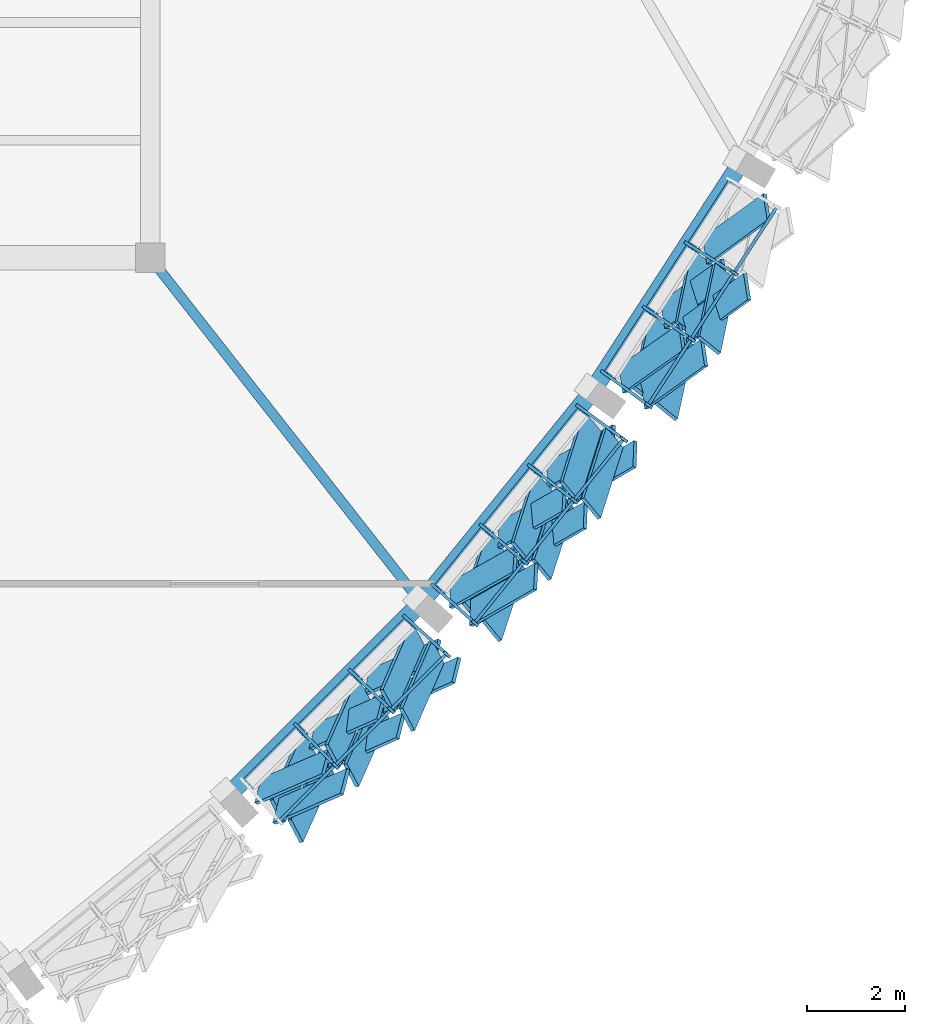
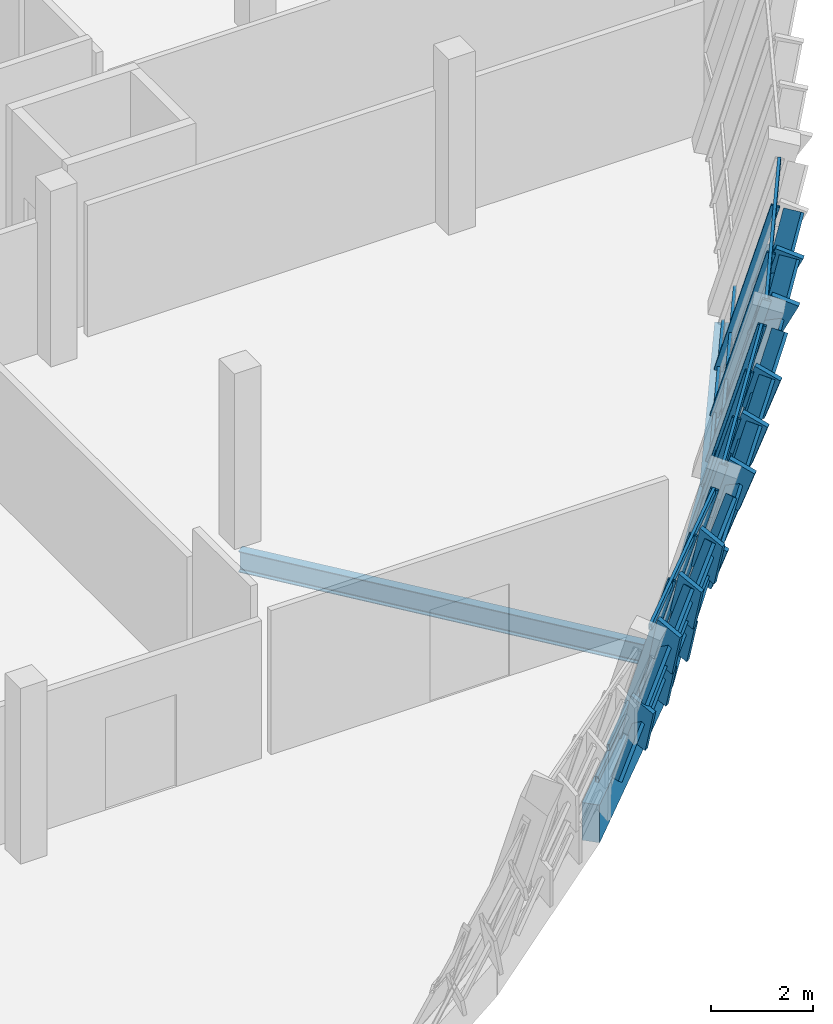
# One storey, part 51 of 107: 52 members, 4 beams, 3 elements without a shape of their own.
"""IFC4 building model written with IfcOpenShell, lengths in metres."""

from ifc_helpers import new_model, si_unit, direction, frame, origin, origin_2d, place, context, subcontext, project, spatial, rectangle, hollow_rectangle, i_section, extrude, material, material_profile, profile_set, type_object, element, aggregate, save


model = new_model("IFC4")

# Units and contexts
model_context = context("Model", 3, precision=1e-05, world=origin(), true_north=direction((0.0, 1.0)))
body_context = subcontext(model_context, "Body", "Model", "MODEL_VIEW")
ifc_project = project(units=[si_unit("LENGTHUNIT", "METRE"), si_unit("AREAUNIT", "SQUARE_METRE"), si_unit("VOLUMEUNIT", "CUBIC_METRE"), si_unit("PLANEANGLEUNIT", "RADIAN"), si_unit("MASSUNIT", "GRAM", prefix="KILO")], contexts=[model_context])

# Site, building, storey
site_placement = place(None, origin())
site = spatial("IfcSite", under=ifc_project, at=site_placement, CompositionType="ELEMENT")
building_placement = place(site_placement, origin())
building = spatial("IfcBuilding", under=site, at=building_placement, Name="Chiffa Square Polytechnic", CompositionType="ELEMENT")
storey_placement = place(building_placement, frame((0.0, 0.0, 13.800048828125)))
storey = spatial("IfcBuildingStorey", under=building, at=storey_placement, Name="L03", CompositionType="ELEMENT", Elevation=13.800048828125)

# Beam
ifc_material_1 = material(Name="Steel S355", Category="steel")
ifc_material_profile_1 = material_profile(ifc_material_1, i_section(OverallWidth=0.199951171875, OverallDepth=0.5, WebThickness=0.01025390625, FlangeThickness=0.01611328125, FilletRadius=0.02099609375, at=origin_2d()), Name="IPE 500")
ifc_profile_set_1 = profile_set([ifc_material_profile_1], Name="Steel S355")
beam_type_1 = type_object("IfcBeamType", Name="BM-STL-IPE500", PredefinedType="BEAM", material=ifc_profile_set_1)
beam_1_placement = place(storey_placement, frame((162.72705078125, 21.760009765625, -0.510009765625), z_axis=(-0.617520342787, 0.786554909872, 0.0), x_axis=(-0.786554909872, -0.617520342787, 0.0)))
element("IfcBeam", 1, at=beam_1_placement, inside=storey, type_object=beam_type_1, Name="Prow radial tie girder BM-V1-RAD-L03-11", PredefinedType="BEAM", context=body_context, shape_type="SweptSolid", body=[
    extrude(i_section(OverallWidth=0.199951171875, OverallDepth=0.5, WebThickness=0.01025390625, FlangeThickness=0.01611328125, FilletRadius=0.02099609375, at=origin_2d()), origin(), (0.0, 0.0, 1.0), 8.950439453125),
])

# Curtain wall, members
ifc_material_2 = material(Name="Aluminium EN AW-6060 T66 and glulam shading", Category="wood")
curtain_wall_type_1 = type_object("IfcCurtainWallType", Name="CW-PROW-LEAN-300", PredefinedType="USERDEFINED", material=ifc_material_2)
curtain_wall_1_placement = place(storey_placement, origin())
curtain_wall_1 = element("IfcCurtainWall", 2, at=curtain_wall_1_placement, inside=storey, type_object=curtain_wall_type_1, Name="Outward-leaning diamond-fin prow curtain wall CW-V1-L03-053", ObjectType="CURTAIN WALL", PredefinedType="USERDEFINED")
ifc_material_3 = material(Name="Aluminium EN AW-6060 T66", Category="aluminium")
ifc_material_profile_2 = material_profile(ifc_material_3, hollow_rectangle(XDim=0.06494140625, YDim=0.179931640625, WallThickness=0.00390625, at=origin_2d()), Name="ALU 65x180x4")
ifc_profile_set_2 = profile_set([ifc_material_profile_2], Name="Aluminium EN AW-6060 T66")
member_type_1 = type_object("IfcMemberType", Name="CWM-ALU-75X180", PredefinedType="MULLION", material=ifc_profile_set_2)
member_1_placement = place(storey_placement, frame((160.20361328125, 19.23681640625, 0.0), z_axis=(0.188903560698, -0.195607738574, 0.962316505816), x_axis=(0.719326269597, 0.694672381679, 0.0)))
member_1 = element("IfcMember", 3, at=member_1_placement, type_object=member_type_1, Name="Leaning prow mullion CW-V1-L03-053-M01", PredefinedType="MULLION", context=body_context, shape_type="SweptSolid", body=[
    extrude(hollow_rectangle(XDim=0.06494140625, YDim=0.179931640625, WallThickness=0.00390625, at=origin_2d()), origin(), (0.0, 0.0, 1.0), 4.114990234375),
])
member_2_placement = place(storey_placement, frame((161.313232421875, 20.34619140625, 0.0), z_axis=(0.195552870013, -0.188848539215, 0.962338456192), x_axis=(0.694668511301, 0.719330007304, 0.0)))
member_2 = element("IfcMember", 4, at=member_2_placement, type_object=member_type_1, Name="Leaning prow mullion CW-V1-L03-053-M02", PredefinedType="MULLION", context=body_context, shape_type="SweptSolid", body=[
    extrude(hollow_rectangle(XDim=0.06494140625, YDim=0.179931640625, WallThickness=0.00390625, at=origin_2d()), origin(), (0.0, 0.0, 1.0), 4.114990234375),
])
member_3_placement = place(storey_placement, frame((162.423095703125, 21.4560546875, 0.0), z_axis=(0.202120850527, -0.182246918937, 0.96225423996), x_axis=(0.669650919448, 0.742676003438, 0.0)))
member_3 = element("IfcMember", 5, at=member_3_placement, type_object=member_type_1, Name="Leaning prow mullion CW-V1-L03-053-M03", PredefinedType="MULLION", context=body_context, shape_type="SweptSolid", body=[
    extrude(hollow_rectangle(XDim=0.06494140625, YDim=0.179931640625, WallThickness=0.00390625, at=origin_2d()), origin(), (0.0, 0.0, 1.0), 4.115234375),
])

curtain_wall_type_2 = type_object("IfcCurtainWallType", Name="CW-PROW-LEAN-150", PredefinedType="USERDEFINED", material=ifc_material_2)
curtain_wall_2_placement = place(storey_placement, origin())
curtain_wall_2 = element("IfcCurtainWall", 6, at=curtain_wall_2_placement, inside=storey, type_object=curtain_wall_type_2, Name="Outward-leaning diamond-fin prow curtain wall CW-V1-L03-054", ObjectType="CURTAIN WALL", PredefinedType="USERDEFINED")
member_4_placement = place(storey_placement, frame((162.998046875, 22.093994140625, 0.0), z_axis=(0.202177751071, -0.182244733359, 0.962242700224), x_axis=(0.669542518424, 0.742773731376, 0.0)))
member_4 = element("IfcMember", 7, at=member_4_placement, type_object=member_type_1, Name="Leaning prow mullion CW-V1-L03-054-M00", PredefinedType="MULLION", context=body_context, shape_type="SweptSolid", body=[
    extrude(hollow_rectangle(XDim=0.06494140625, YDim=0.179931640625, WallThickness=0.00390625, at=origin_2d()), origin(), (0.0, 0.0, 1.0), 4.115234375),
])
member_5_placement = place(storey_placement, frame((163.985107421875, 23.313720703125, 0.0), z_axis=(0.20824381338, -0.174901071751, 0.962311866959), x_axis=(0.643140921343, 0.765747840541, 0.0)))
member_5 = element("IfcMember", 8, at=member_5_placement, type_object=member_type_1, Name="Leaning prow mullion CW-V1-L03-054-M01", PredefinedType="MULLION", context=body_context, shape_type="SweptSolid", body=[
    extrude(hollow_rectangle(XDim=0.06494140625, YDim=0.179931640625, WallThickness=0.00390625, at=origin_2d()), origin(), (0.0, 0.0, 1.0), 4.114990234375),
])
member_6_placement = place(storey_placement, frame((164.971923828125, 24.533203125, 0.0), z_axis=(0.214350033921, -0.167481357808, 0.962291046277), x_axis=(0.615690596683, 0.787988000643, 0.0)))
member_6 = element("IfcMember", 9, at=member_6_placement, type_object=member_type_1, Name="Leaning prow mullion CW-V1-L03-054-M02", PredefinedType="MULLION", context=body_context, shape_type="SweptSolid", body=[
    extrude(hollow_rectangle(XDim=0.06494140625, YDim=0.179931640625, WallThickness=0.00390625, at=origin_2d()), origin(), (0.0, 0.0, 1.0), 4.115234375),
])
member_7_placement = place(storey_placement, frame((165.958984375, 25.7529296875, 0.0), z_axis=(0.2203771058, -0.160107081711, 0.9621848334), x_axis=(0.587770216008, 0.809027918662, 0.0)))
member_7 = element("IfcMember", 10, at=member_7_placement, type_object=member_type_1, Name="Leaning prow mullion CW-V1-L03-054-M03", PredefinedType="MULLION", context=body_context, shape_type="SweptSolid", body=[
    extrude(hollow_rectangle(XDim=0.06494140625, YDim=0.179931640625, WallThickness=0.00390625, at=origin_2d()), origin(), (0.0, 0.0, 1.0), 4.115478515625),
])

curtain_wall_3_placement = place(storey_placement, origin())
curtain_wall_3 = element("IfcCurtainWall", 11, at=curtain_wall_3_placement, inside=storey, type_object=curtain_wall_type_1, Name="Outward-leaning diamond-fin prow curtain wall CW-V1-L03-055", ObjectType="CURTAIN WALL", PredefinedType="USERDEFINED")
member_8_placement = place(storey_placement, frame((166.464111328125, 26.447998046875, 0.0), z_axis=(0.2203771058, -0.160107081711, 0.9621848334), x_axis=(0.587770216008, 0.809027918662, 0.0)))
member_8 = element("IfcMember", 12, at=member_8_placement, type_object=member_type_1, Name="Leaning prow mullion CW-V1-L03-055-M00", PredefinedType="MULLION", context=body_context, shape_type="SweptSolid", body=[
    extrude(hollow_rectangle(XDim=0.06494140625, YDim=0.179931640625, WallThickness=0.00390625, at=origin_2d()), origin(), (0.0, 0.0, 1.0), 4.115478515625),
])
member_9_placement = place(storey_placement, frame((167.319091796875, 27.763671875, 0.0), z_axis=(0.225500076608, -0.152231832827, 0.962276043827), x_axis=(0.559521538906, 0.828815810359, 0.0)))
member_9 = element("IfcMember", 13, at=member_9_placement, type_object=member_type_1, Name="Leaning prow mullion CW-V1-L03-055-M01", PredefinedType="MULLION", context=body_context, shape_type="SweptSolid", body=[
    extrude(hollow_rectangle(XDim=0.06494140625, YDim=0.179931640625, WallThickness=0.00390625, at=origin_2d()), origin(), (0.0, 0.0, 1.0), 4.115234375),
])
member_10_placement = place(storey_placement, frame((168.174072265625, 29.079345703125, 0.0), z_axis=(0.230605632244, -0.144284254597, 0.962290546692), x_axis=(0.530410565225, 0.847740899272, 0.0)))
member_10 = element("IfcMember", 14, at=member_10_placement, type_object=member_type_1, Name="Leaning prow mullion CW-V1-L03-055-M02", PredefinedType="MULLION", context=body_context, shape_type="SweptSolid", body=[
    extrude(hollow_rectangle(XDim=0.06494140625, YDim=0.179931640625, WallThickness=0.00390625, at=origin_2d()), origin(), (0.0, 0.0, 1.0), 4.115234375),
])

# Member
ifc_material_4 = material(Name="Glulam GL28h", Category="wood")
ifc_material_profile_3 = material_profile(ifc_material_4, rectangle(XDim=0.080078125, YDim=0.580078125, at=origin_2d()), Name="GL28h 80x580")
ifc_profile_set_3 = profile_set([ifc_material_profile_3], Name="Glulam GL28h")
member_type_2 = type_object("IfcMemberType", Name="CWM-GL-80X580", PredefinedType="MULLION", material=ifc_profile_set_3)
member_11_placement = place(storey_placement, frame((159.427978515625, 17.9140625, 0.0400390625), z_axis=(0.559092083718, 0.242376346841, 0.79288697077), x_axis=(-0.795649869399, 0.425765380854, 0.430888762666)))
member_11 = element("IfcMember", 15, at=member_11_placement, type_object=member_type_2, Name="Diamond glulam fin CW-V1-L03-053-DF01A", PredefinedType="MULLION", context=body_context, shape_type="SweptSolid", body=[
    extrude(rectangle(XDim=0.080078125, YDim=0.580078125, at=origin_2d()), origin(), (0.0, 0.0, 1.0), 2.44677734375),
])

member_12_placement = place(storey_placement, frame((160.416015625, 18.902099609375, 0.0400390625), z_axis=(-0.251257890117, -0.564835650617, 0.786021730263), x_axis=(0.871966301086, 0.220431054967, 0.437132611203)))
member_12 = element("IfcMember", 16, at=member_12_placement, type_object=member_type_2, Name="Diamond glulam fin CW-V1-L03-053-DF01B", PredefinedType="MULLION", context=body_context, shape_type="SweptSolid", body=[
    extrude(rectangle(XDim=0.080078125, YDim=0.580078125, at=origin_2d()), origin(), (0.0, 0.0, 1.0), 2.468017578125),
])

member_13_placement = place(storey_placement, frame((159.7958984375, 17.508056640625, 1.97998046875), z_axis=(0.56189400459, 0.245909387468, 0.789812446572), x_axis=(-0.795129993756, 0.423875150734, 0.433702835614)))
member_13 = element("IfcMember", 17, at=member_13_placement, type_object=member_type_2, Name="Diamond glulam fin CW-V1-L03-053-DF02A", PredefinedType="MULLION", context=body_context, shape_type="SweptSolid", body=[
    extrude(rectangle(XDim=0.080078125, YDim=0.580078125, at=origin_2d()), origin(), (0.0, 0.0, 1.0), 2.456298828125),
])

member_14_placement = place(storey_placement, frame((160.7958984375, 18.507080078125, 1.97998046875), z_axis=(-0.254999824228, -0.56744358104, 0.782932226939), x_axis=(0.871900422165, 0.215130401893, 0.439896083195)))
member_14 = element("IfcMember", 18, at=member_14_placement, type_object=member_type_2, Name="Diamond glulam fin CW-V1-L03-053-DF02B", PredefinedType="MULLION", context=body_context, shape_type="SweptSolid", body=[
    extrude(rectangle(XDim=0.080078125, YDim=0.580078125, at=origin_2d()), origin(), (0.0, 0.0, 1.0), 2.477783203125),
])

member_15_placement = place(storey_placement, frame((160.5380859375, 19.02392578125, 0.0400390625), z_axis=(0.561919065159, 0.247081455985, 0.789428729094), x_axis=(-0.795614932694, 0.42260588973, 0.434052002461)))
member_15 = element("IfcMember", 19, at=member_15_placement, type_object=member_type_2, Name="Diamond glulam fin CW-V1-L03-053-DF03A", PredefinedType="MULLION", context=body_context, shape_type="SweptSolid", body=[
    extrude(rectangle(XDim=0.080078125, YDim=0.580078125, at=origin_2d()), origin(), (0.0, 0.0, 1.0), 2.45751953125),
])

member_16_placement = place(storey_placement, frame((161.52587890625, 20.011962890625, 0.0400390625), z_axis=(-0.246988168546, -0.561932856515, 0.78944810429), x_axis=(0.871955342969, 0.22651276907, 0.434034382643)))
member_16 = element("IfcMember", 20, at=member_16_placement, type_object=member_type_2, Name="Diamond glulam fin CW-V1-L03-053-DF03B", PredefinedType="MULLION", context=body_context, shape_type="SweptSolid", body=[
    extrude(rectangle(XDim=0.080078125, YDim=0.580078125, at=origin_2d()), origin(), (0.0, 0.0, 1.0), 2.457275390625),
])

member_17_placement = place(storey_placement, frame((160.9189453125, 18.631103515625, 1.97998046875), z_axis=(0.564961817595, 0.250423530706, 0.786197303435), x_axis=(-0.794777097109, 0.421167978216, 0.436974713268)))
member_17 = element("IfcMember", 21, at=member_17_placement, type_object=member_type_2, Name="Diamond glulam fin CW-V1-L03-053-DF04A", PredefinedType="MULLION", context=body_context, shape_type="SweptSolid", body=[
    extrude(rectangle(XDim=0.080078125, YDim=0.580078125, at=origin_2d()), origin(), (0.0, 0.0, 1.0), 2.467529296875),
])

member_18_placement = place(storey_placement, frame((161.9189453125, 19.631103515625, 1.97998046875), z_axis=(-0.250423530706, -0.564961817595, 0.786197303435), x_axis=(0.87172563883, 0.22169237824, 0.436974713268)))
member_18 = element("IfcMember", 22, at=member_18_placement, type_object=member_type_2, Name="Diamond glulam fin CW-V1-L03-053-DF04B", PredefinedType="MULLION", context=body_context, shape_type="SweptSolid", body=[
    extrude(rectangle(XDim=0.080078125, YDim=0.580078125, at=origin_2d()), origin(), (0.0, 0.0, 1.0), 2.467529296875),
])

member_19_placement = place(storey_placement, frame((161.64794921875, 20.134033203125, 0.0400390625), z_axis=(0.564849687106, 0.251165211132, 0.786041263353), x_axis=(-0.795168656643, 0.420282335269, 0.437115049104)))
member_19 = element("IfcMember", 23, at=member_19_placement, type_object=member_type_2, Name="Diamond glulam fin CW-V1-L03-053-DF05A", PredefinedType="MULLION", context=body_context, shape_type="SweptSolid", body=[
    extrude(rectangle(XDim=0.080078125, YDim=0.580078125, at=origin_2d()), origin(), (0.0, 0.0, 1.0), 2.468017578125),
])

member_20_placement = place(storey_placement, frame((162.635986328125, 21.1220703125, 0.0400390625), z_axis=(-0.24236282491, -0.559160671386, 0.792842736409), x_axis=(0.871739286985, 0.233174650993, 0.430929457872)))
member_20 = element("IfcMember", 24, at=member_20_placement, type_object=member_type_2, Name="Diamond glulam fin CW-V1-L03-053-DF05B", PredefinedType="MULLION", context=body_context, shape_type="SweptSolid", body=[
    extrude(rectangle(XDim=0.080078125, YDim=0.580078125, at=origin_2d()), origin(), (0.0, 0.0, 1.0), 2.44677734375),
])

member_21_placement = place(storey_placement, frame((162.04296875, 19.75390625, 1.97998046875), z_axis=(0.567429321494, 0.255091945363, 0.782912552282), x_axis=(-0.794860056215, 0.417939616804, 0.43991359122)))
member_21 = element("IfcMember", 25, at=member_21_placement, type_object=member_type_2, Name="Diamond glulam fin CW-V1-L03-053-DF06A", PredefinedType="MULLION", context=body_context, shape_type="SweptSolid", body=[
    extrude(rectangle(XDim=0.080078125, YDim=0.580078125, at=origin_2d()), origin(), (0.0, 0.0, 1.0), 2.477783203125),
])

member_22_placement = place(storey_placement, frame((163.0419921875, 20.75390625, 1.97998046875), z_axis=(-0.245923121653, -0.561825983663, 0.789856558065), x_axis=(0.87172591905, 0.228102199061, 0.433662667105)))
member_22 = element("IfcMember", 26, at=member_22_placement, type_object=member_type_2, Name="Diamond glulam fin CW-V1-L03-053-DF06B", PredefinedType="MULLION", context=body_context, shape_type="SweptSolid", body=[
    extrude(rectangle(XDim=0.080078125, YDim=0.580078125, at=origin_2d()), origin(), (0.0, 0.0, 1.0), 2.4560546875),
])

member_23_placement = place(storey_placement, frame((163.35205078125, 21.91796875, 0.0400390625), z_axis=(0.530574922002, 0.299221899203, 0.79306778221), x_axis=(-0.845981164435, 0.245401676913, 0.473385557859)))
member_23 = element("IfcMember", 27, at=member_23_placement, type_object=member_type_2, Name="Diamond glulam fin CW-V1-L03-054-DF01A", PredefinedType="MULLION", context=body_context, shape_type="SweptSolid", body=[
    extrude(rectangle(XDim=0.080078125, YDim=0.580078125, at=origin_2d()), origin(), (0.0, 0.0, 1.0), 2.446044921875),
])

member_24_placement = place(storey_placement, frame((164.23095703125, 23.0029296875, 0.0400390625), z_axis=(-0.190406237642, -0.588231633899, 0.785957384053), x_axis=(0.78683840518, 0.387311921994, 0.480494327973)))
member_24 = element("IfcMember", 28, at=member_24_placement, type_object=member_type_2, Name="Diamond glulam fin CW-V1-L03-054-DF01B", PredefinedType="MULLION", context=body_context, shape_type="SweptSolid", body=[
    extrude(rectangle(XDim=0.080078125, YDim=0.580078125, at=origin_2d()), origin(), (0.0, 0.0, 1.0), 2.46826171875),
])

member_25_placement = place(storey_placement, frame((163.760986328125, 21.551025390625, 1.97998046875), z_axis=(0.532650123056, 0.303803429649, 0.789928681934), x_axis=(-0.845041246897, 0.242508219538, 0.476544913412)))
member_25 = element("IfcMember", 29, at=member_25_placement, type_object=member_type_2, Name="Diamond glulam fin CW-V1-L03-054-DF02A", PredefinedType="MULLION", context=body_context, shape_type="SweptSolid", body=[
    extrude(rectangle(XDim=0.080078125, YDim=0.580078125, at=origin_2d()), origin(), (0.0, 0.0, 1.0), 2.455810546875),
])

member_26_placement = place(storey_placement, frame((164.64990234375, 22.64990234375, 1.97998046875), z_axis=(-0.194045982552, -0.59139699454, 0.782684963127), x_axis=(0.787587496491, 0.381747134838, 0.483709686088)))
member_26 = element("IfcMember", 30, at=member_26_placement, type_object=member_type_2, Name="Diamond glulam fin CW-V1-L03-054-DF02B", PredefinedType="MULLION", context=body_context, shape_type="SweptSolid", body=[
    extrude(rectangle(XDim=0.080078125, YDim=0.580078125, at=origin_2d()), origin(), (0.0, 0.0, 1.0), 2.478515625),
])

member_27_placement = place(storey_placement, frame((164.340087890625, 23.137939453125, 0.0400390625), z_axis=(0.533083906285, 0.304051584946, 0.789540488228), x_axis=(-0.844779447025, 0.242656798596, 0.476933290912)))
member_27 = element("IfcMember", 31, at=member_27_placement, type_object=member_type_2, Name="Diamond glulam fin CW-V1-L03-054-DF03A", PredefinedType="MULLION", context=body_context, shape_type="SweptSolid", body=[
    extrude(rectangle(XDim=0.080078125, YDim=0.580078125, at=origin_2d()), origin(), (0.0, 0.0, 1.0), 2.45703125),
])

member_28_placement = place(storey_placement, frame((165.218017578125, 24.222900390625, 0.0400390625), z_axis=(-0.186389336907, -0.584801512278, 0.789472106109), x_axis=(0.785914901217, 0.393455450072, 0.477001652883)))
member_28 = element("IfcMember", 32, at=member_28_placement, type_object=member_type_2, Name="Diamond glulam fin CW-V1-L03-054-DF03B", PredefinedType="MULLION", context=body_context, shape_type="SweptSolid", body=[
    extrude(rectangle(XDim=0.080078125, YDim=0.580078125, at=origin_2d()), origin(), (0.0, 0.0, 1.0), 2.457275390625),
])

member_29_placement = place(storey_placement, frame((164.760009765625, 22.785888671875, 1.97998046875), z_axis=(0.53548382921, 0.308068963284, 0.786352708723), x_axis=(-0.843529896625, 0.240744505468, 0.480103526946)))
member_29 = element("IfcMember", 33, at=member_29_placement, type_object=member_type_2, Name="Diamond glulam fin CW-V1-L03-054-DF04A", PredefinedType="MULLION", context=body_context, shape_type="SweptSolid", body=[
    extrude(rectangle(XDim=0.080078125, YDim=0.580078125, at=origin_2d()), origin(), (0.0, 0.0, 1.0), 2.467041015625),
])

member_30_placement = place(storey_placement, frame((165.64990234375, 23.885009765625, 1.97998046875), z_axis=(-0.190069121705, -0.588017069387, 0.786199500816), x_axis=(0.78673660698, 0.387815168759, 0.480255042782)))
member_30 = element("IfcMember", 34, at=member_30_placement, type_object=member_type_2, Name="Diamond glulam fin CW-V1-L03-054-DF04B", PredefinedType="MULLION", context=body_context, shape_type="SweptSolid", body=[
    extrude(rectangle(XDim=0.080078125, YDim=0.580078125, at=origin_2d()), origin(), (0.0, 0.0, 1.0), 2.467529296875),
])

member_31_placement = place(storey_placement, frame((165.326904296875, 24.35791015625, 0.0400390625), z_axis=(0.535618985762, 0.308809321061, 0.785970168211), x_axis=(-0.843495621907, 0.240109295046, 0.480481698149)))
member_31 = element("IfcMember", 35, at=member_31_placement, type_object=member_type_2, Name="Diamond glulam fin CW-V1-L03-054-DF05A", PredefinedType="MULLION", context=body_context, shape_type="SweptSolid", body=[
    extrude(rectangle(XDim=0.080078125, YDim=0.580078125, at=origin_2d()), origin(), (0.0, 0.0, 1.0), 2.46826171875),
])

member_32_placement = place(storey_placement, frame((166.205078125, 25.443115234375, 0.0400390625), z_axis=(-0.181942950706, -0.581359126638, 0.793043711634), x_axis=(0.784672056474, 0.400215965699, 0.473409911798)))
member_32 = element("IfcMember", 36, at=member_32_placement, type_object=member_type_2, Name="Diamond glulam fin CW-V1-L03-054-DF05B", PredefinedType="MULLION", context=body_context, shape_type="SweptSolid", body=[
    extrude(rectangle(XDim=0.080078125, YDim=0.580078125, at=origin_2d()), origin(), (0.0, 0.0, 1.0), 2.4462890625),
])

member_33_placement = place(storey_placement, frame((165.760009765625, 24.02099609375, 1.97998046875), z_axis=(0.537925050754, 0.312705881153, 0.782848434669), x_axis=(-0.84225101416, 0.238312259877, 0.483549889814)))
member_33 = element("IfcMember", 37, at=member_33_placement, type_object=member_type_2, Name="Diamond glulam fin CW-V1-L03-054-DF06A", PredefinedType="MULLION", context=body_context, shape_type="SweptSolid", body=[
    extrude(rectangle(XDim=0.080078125, YDim=0.580078125, at=origin_2d()), origin(), (0.0, 0.0, 1.0), 2.47802734375),
])

member_34_placement = place(storey_placement, frame((166.64892578125, 25.1201171875, 1.97998046875), z_axis=(-0.186048918941, -0.584583195092, 0.789714054438), x_axis=(0.785806356451, 0.393965168046, 0.476759705226)))
member_34 = element("IfcMember", 38, at=member_34_placement, type_object=member_type_2, Name="Diamond glulam fin CW-V1-L03-054-DF06B", PredefinedType="MULLION", context=body_context, shape_type="SweptSolid", body=[
    extrude(rectangle(XDim=0.080078125, YDim=0.580078125, at=origin_2d()), origin(), (0.0, 0.0, 1.0), 2.45654296875),
])

member_35_placement = place(storey_placement, frame((166.8349609375, 26.30908203125, 0.0400390625), z_axis=(0.496623577824, 0.353134587487, 0.792881444523), x_axis=(-0.85754756676, 0.058515562802, 0.511065651021)))
member_35 = element("IfcMember", 39, at=member_35_placement, type_object=member_type_2, Name="Diamond glulam fin CW-V1-L03-055-DF01A", PredefinedType="MULLION", context=body_context, shape_type="SweptSolid", body=[
    extrude(rectangle(XDim=0.080078125, YDim=0.580078125, at=origin_2d()), origin(), (0.0, 0.0, 1.0), 2.44677734375),
])

member_36_placement = place(storey_placement, frame((167.595947265625, 27.48095703125, 0.0400390625), z_axis=(-0.127964914374, -0.605113841618, 0.785787642669), x_axis=(0.669203050304, 0.532073604663, 0.518714716087)))
member_36 = element("IfcMember", 40, at=member_36_placement, type_object=member_type_2, Name="Diamond glulam fin CW-V1-L03-055-DF01B", PredefinedType="MULLION", context=body_context, shape_type="SweptSolid", body=[
    extrude(rectangle(XDim=0.080078125, YDim=0.580078125, at=origin_2d()), origin(), (0.0, 0.0, 1.0), 2.46875),
])

member_37_placement = place(storey_placement, frame((167.280029296875, 25.987060546875, 1.97998046875), z_axis=(0.498318261234, 0.357461094634, 0.78987370911), x_axis=(-0.855733235649, 0.0564281731, 0.514331109972)))
member_37 = element("IfcMember", 41, at=member_37_placement, type_object=member_type_2, Name="Diamond glulam fin CW-V1-L03-055-DF02A", PredefinedType="MULLION", context=body_context, shape_type="SweptSolid", body=[
    extrude(rectangle(XDim=0.080078125, YDim=0.580078125, at=origin_2d()), origin(), (0.0, 0.0, 1.0), 2.4560546875),
])

member_38_placement = place(storey_placement, frame((168.050048828125, 27.173095703125, 1.97998046875), z_axis=(-0.13149265583, -0.60841208619, 0.782652167211), x_axis=(0.671007860416, 0.526521098016, 0.522038298024)))
member_38 = element("IfcMember", 42, at=member_38_placement, type_object=member_type_2, Name="Diamond glulam fin CW-V1-L03-055-DF02B", PredefinedType="MULLION", context=body_context, shape_type="SweptSolid", body=[
    extrude(rectangle(XDim=0.080078125, YDim=0.580078125, at=origin_2d()), origin(), (0.0, 0.0, 1.0), 2.478759765625),
])

member_39_placement = place(storey_placement, frame((167.68994140625, 27.625, 0.0400390625), z_axis=(0.498549937445, 0.358065758181, 0.789453527887), x_axis=(-0.85547962358, 0.056137021368, 0.514784662234)))
member_39 = element("IfcMember", 43, at=member_39_placement, type_object=member_type_2, Name="Diamond glulam fin CW-V1-L03-055-DF03A", PredefinedType="MULLION", context=body_context, shape_type="SweptSolid", body=[
    extrude(rectangle(XDim=0.080078125, YDim=0.580078125, at=origin_2d()), origin(), (0.0, 0.0, 1.0), 2.457275390625),
])

member_40_placement = place(storey_placement, frame((168.450927734375, 28.797119140625, 0.0400390625), z_axis=(-0.124456651086, -0.601325271885, 0.789251835216), x_axis=(0.667490802789, 0.537799979446, 0.515002145918)))
member_40 = element("IfcMember", 44, at=member_40_placement, type_object=member_type_2, Name="Diamond glulam fin CW-V1-L03-055-DF03B", PredefinedType="MULLION", context=body_context, shape_type="SweptSolid", body=[
    extrude(rectangle(XDim=0.080078125, YDim=0.580078125, at=origin_2d()), origin(), (0.0, 0.0, 1.0), 2.4580078125),
])

member_41_placement = place(storey_placement, frame((168.14501953125, 27.319091796875, 1.97998046875), z_axis=(0.500509543524, 0.362270747102, 0.786288816299), x_axis=(-0.853530239374, 0.054546731514, 0.518180262608)))
member_41 = element("IfcMember", 45, at=member_41_placement, type_object=member_type_2, Name="Diamond glulam fin CW-V1-L03-055-DF04A", PredefinedType="MULLION", context=body_context, shape_type="SweptSolid", body=[
    extrude(rectangle(XDim=0.080078125, YDim=0.580078125, at=origin_2d()), origin(), (0.0, 0.0, 1.0), 2.46728515625),
])

member_42_placement = place(storey_placement, frame((168.9150390625, 28.5048828125, 1.97998046875), z_axis=(-0.127636881823, -0.604642623892, 0.786203614703), x_axis=(0.669082677546, 0.532656877889, 0.51827118485)))
member_42 = element("IfcMember", 46, at=member_42_placement, type_object=member_type_2, Name="Diamond glulam fin CW-V1-L03-055-DF04B", PredefinedType="MULLION", context=body_context, shape_type="SweptSolid", body=[
    extrude(rectangle(XDim=0.080078125, YDim=0.580078125, at=origin_2d()), origin(), (0.0, 0.0, 1.0), 2.467529296875),
])

member_43_placement = place(storey_placement, frame((168.544921875, 28.94091796875, 0.0400390625), z_axis=(0.500718590302, 0.362954222084, 0.785840394735), x_axis=(-0.853263559269, 0.054172461936, 0.518658503055)))
member_43 = element("IfcMember", 47, at=member_43_placement, type_object=member_type_2, Name="Diamond glulam fin CW-V1-L03-055-DF05A", PredefinedType="MULLION", context=body_context, shape_type="SweptSolid", body=[
    extrude(rectangle(XDim=0.080078125, YDim=0.580078125, at=origin_2d()), origin(), (0.0, 0.0, 1.0), 2.468505859375),
])

ifc_material_profile_4 = material_profile(ifc_material_3, hollow_rectangle(XDim=0.06494140625, YDim=0.139892578125, WallThickness=0.00390625, at=origin_2d()), Name="ALU 65x140x4")
ifc_profile_set_4 = profile_set([ifc_material_profile_4], Name="Aluminium EN AW-6060 T66")
member_type_3 = type_object("IfcMemberType", Name="CWT-ALU-75X140", PredefinedType="USERDEFINED", material=ifc_profile_set_4)
member_44_placement = place(storey_placement, frame((159.1015625, 18.11865234375, 0.0400390625), z_axis=(0.707106781187, 0.707106781187, 0.0), x_axis=(-0.707106781187, 0.707106781187, 0.0)))
member_44 = element("IfcMember", 48, at=member_44_placement, type_object=member_type_3, Name="Leaning prow transom CW-V1-L03-053-T01", ObjectType="TRANSOM", PredefinedType="USERDEFINED", context=body_context, shape_type="SweptSolid", body=[
    extrude(hollow_rectangle(XDim=0.06494140625, YDim=0.139892578125, WallThickness=0.00390625, at=origin_2d()), origin(), (0.0, 0.0, 1.0), 4.708984375),
])

member_45_placement = place(storey_placement, frame((159.2548828125, 17.948486328125, 0.849853515625), z_axis=(0.707132573413, 0.707080988019, 0.0), x_axis=(-0.707080988019, 0.707132573413, 0.0)))
member_45 = element("IfcMember", 49, at=member_45_placement, type_object=member_type_3, Name="Leaning prow transom CW-V1-L03-053-T02", ObjectType="TRANSOM", PredefinedType="USERDEFINED", context=body_context, shape_type="SweptSolid", body=[
    extrude(hollow_rectangle(XDim=0.06494140625, YDim=0.139892578125, WallThickness=0.00390625, at=origin_2d()), origin(), (0.0, 0.0, 1.0), 4.732666015625),
])

member_46_placement = place(storey_placement, frame((159.83642578125, 17.303466796875, 3.919921875), z_axis=(0.707106781187, 0.707106781187, 0.0), x_axis=(-0.707106781187, 0.707106781187, 0.0)))
member_46 = element("IfcMember", 50, at=member_46_placement, type_object=member_type_3, Name="Leaning prow transom CW-V1-L03-053-T03", ObjectType="TRANSOM", PredefinedType="USERDEFINED", context=body_context, shape_type="SweptSolid", body=[
    extrude(hollow_rectangle(XDim=0.06494140625, YDim=0.139892578125, WallThickness=0.00390625, at=origin_2d()), origin(), (0.0, 0.0, 1.0), 4.82275390625),
])

aggregate(curtain_wall_1, [member_1, member_2, member_3, member_44, member_45, member_46, member_11, member_12, member_13, member_14, member_15, member_16, member_17, member_18, member_19, member_20, member_21, member_22])

member_47_placement = place(storey_placement, frame((163.00634765625, 22.08642578125, 0.0400390625), z_axis=(0.629086346504, 0.777335428655, 0.0), x_axis=(-0.777335428655, 0.629086346504, 0.0)))
member_47 = element("IfcMember", 51, at=member_47_placement, type_object=member_type_3, Name="Leaning prow transom CW-V1-L03-054-T01", ObjectType="TRANSOM", PredefinedType="USERDEFINED", context=body_context, shape_type="SweptSolid", body=[
    extrude(hollow_rectangle(XDim=0.06494140625, YDim=0.139892578125, WallThickness=0.00390625, at=origin_2d()), origin(), (0.0, 0.0, 1.0), 4.708251953125),
])

member_48_placement = place(storey_placement, frame((163.176513671875, 21.93310546875, 0.849853515625), z_axis=(0.629132926968, 0.777297729448, 0.0), x_axis=(-0.777297729448, 0.629132926968, 0.0)))
member_48 = element("IfcMember", 52, at=member_48_placement, type_object=member_type_3, Name="Leaning prow transom CW-V1-L03-054-T02", ObjectType="TRANSOM", PredefinedType="USERDEFINED", context=body_context, shape_type="SweptSolid", body=[
    extrude(hollow_rectangle(XDim=0.06494140625, YDim=0.139892578125, WallThickness=0.00390625, at=origin_2d()), origin(), (0.0, 0.0, 1.0), 4.732421875),
])

member_49_placement = place(storey_placement, frame((163.821533203125, 21.3515625, 3.919921875), z_axis=(0.629227348337, 0.777221296739, 0.0), x_axis=(-0.777221296739, 0.629227348337, 0.0)))
member_49 = element("IfcMember", 53, at=member_49_placement, type_object=member_type_3, Name="Leaning prow transom CW-V1-L03-054-T03", ObjectType="TRANSOM", PredefinedType="USERDEFINED", context=body_context, shape_type="SweptSolid", body=[
    extrude(hollow_rectangle(XDim=0.06494140625, YDim=0.139892578125, WallThickness=0.00390625, at=origin_2d()), origin(), (0.0, 0.0, 1.0), 4.82373046875),
])

aggregate(curtain_wall_2, [member_4, member_5, member_6, member_7, member_47, member_48, member_49, member_23, member_24, member_25, member_26, member_27, member_28, member_29, member_30, member_31, member_32, member_33, member_34])

member_50_placement = place(storey_placement, frame((166.47314453125, 26.44140625, 0.0400390625), z_axis=(0.544909978268, 0.838494553104, 0.0), x_axis=(-0.838494553104, 0.544909978268, 0.0)))
member_50 = element("IfcMember", 54, at=member_50_placement, type_object=member_type_3, Name="Leaning prow transom CW-V1-L03-055-T01", ObjectType="TRANSOM", PredefinedType="USERDEFINED", context=body_context, shape_type="SweptSolid", body=[
    extrude(hollow_rectangle(XDim=0.06494140625, YDim=0.139892578125, WallThickness=0.00390625, at=origin_2d()), origin(), (0.0, 0.0, 1.0), 4.70849609375),
])

member_51_placement = place(storey_placement, frame((166.65869140625, 26.306396484375, 0.849853515625), z_axis=(0.54487592122, 0.838516684673, 0.0), x_axis=(-0.838516684673, 0.54487592122, 0.0)))
member_51 = element("IfcMember", 55, at=member_51_placement, type_object=member_type_3, Name="Leaning prow transom CW-V1-L03-055-T02", ObjectType="TRANSOM", PredefinedType="USERDEFINED", context=body_context, shape_type="SweptSolid", body=[
    extrude(hollow_rectangle(XDim=0.06494140625, YDim=0.139892578125, WallThickness=0.00390625, at=origin_2d()), origin(), (0.0, 0.0, 1.0), 4.732421875),
])

member_52_placement = place(storey_placement, frame((167.36181640625, 25.795654296875, 3.919921875), z_axis=(0.544824632433, 0.838550010372, 0.0), x_axis=(-0.838550010372, 0.544824632433, 0.0)))
member_52 = element("IfcMember", 56, at=member_52_placement, type_object=member_type_3, Name="Leaning prow transom CW-V1-L03-055-T03", ObjectType="TRANSOM", PredefinedType="USERDEFINED", context=body_context, shape_type="SweptSolid", body=[
    extrude(hollow_rectangle(XDim=0.06494140625, YDim=0.139892578125, WallThickness=0.00390625, at=origin_2d()), origin(), (0.0, 0.0, 1.0), 4.822509765625),
])

aggregate(curtain_wall_3, [member_8, member_9, member_10, member_50, member_51, member_52, member_35, member_36, member_37, member_38, member_39, member_40, member_41, member_42, member_43])

# Beams
ifc_material_5 = material(Name="Glulam GL32c", Category="wood")
ifc_material_profile_5 = material_profile(ifc_material_5, rectangle(XDim=0.360107421875, YDim=0.89990234375, at=origin_2d()), Name="GL32c 360x900")
ifc_profile_set_5 = profile_set([ifc_material_profile_5], Name="Glulam GL32c")
beam_type_2 = type_object("IfcBeamType", Name="RB-GL-360X900", PredefinedType="SPANDREL", material=ifc_profile_set_5)
beam_2_placement = place(storey_placement, frame((158.7900390625, 17.822998046875, -0.7099609375), z_axis=(0.707106781187, 0.707106781187, 0.0), x_axis=(-0.707106781187, 0.707106781187, 0.0)))
element("IfcBeam", 57, at=beam_2_placement, inside=storey, type_object=beam_type_2, Name="Prow perimeter edge beam RB-V1-PROW-L03-10", PredefinedType="SPANDREL", context=body_context, shape_type="SweptSolid", body=[
    extrude(rectangle(XDim=0.360107421875, YDim=0.89990234375, at=origin_2d()), origin(), (0.0, 0.0, 1.0), 5.56787109375),
])
beam_3_placement = place(storey_placement, frame((162.72705078125, 21.760009765625, -0.7099609375), z_axis=(0.629219674921, 0.777227508965, 0.0), x_axis=(-0.777227508965, 0.629219674921, 0.0)))
element("IfcBeam", 58, at=beam_3_placement, inside=storey, type_object=beam_type_2, Name="Prow perimeter edge beam RB-V1-PROW-L03-11", PredefinedType="SPANDREL", context=body_context, shape_type="SweptSolid", body=[
    extrude(rectangle(XDim=0.360107421875, YDim=0.89990234375, at=origin_2d()), origin(), (0.0, 0.0, 1.0), 5.567138671875),
])
beam_4_placement = place(storey_placement, frame((166.22998046875, 26.0869140625, -0.7099609375), z_axis=(0.544734017724, 0.838608877805, 0.0), x_axis=(-0.838608877805, 0.544734017724, 0.0)))
element("IfcBeam", 59, at=beam_4_placement, inside=storey, type_object=beam_type_2, Name="Prow perimeter edge beam RB-V1-PROW-L03-12", PredefinedType="SPANDREL", context=body_context, shape_type="SweptSolid", body=[
    extrude(rectangle(XDim=0.360107421875, YDim=0.89990234375, at=origin_2d()), origin(), (0.0, 0.0, 1.0), 5.56787109375),
])

save(model, "model.ifc")
